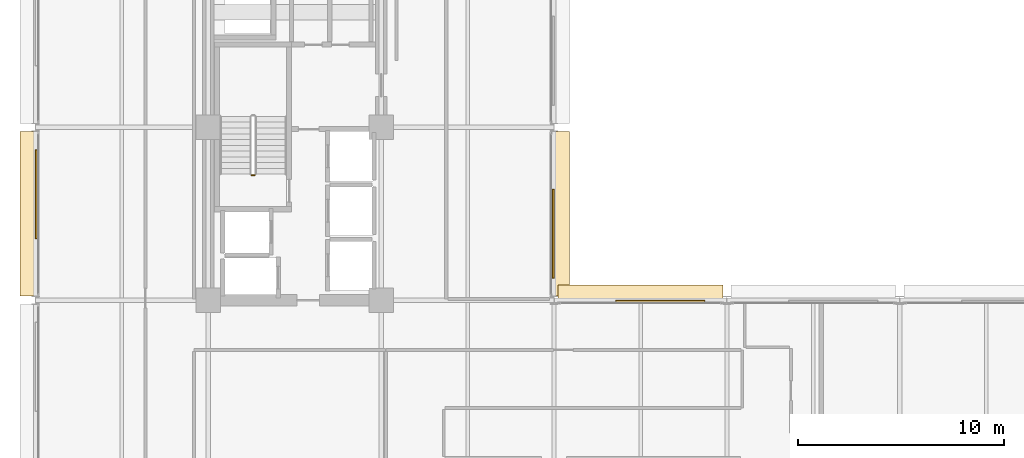
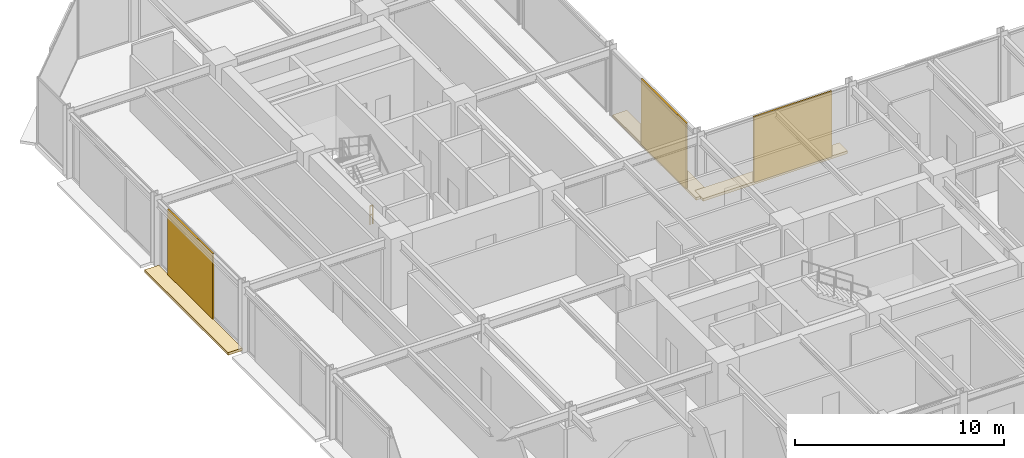
# One storey, part 37 of 39: 6 coverings, 1 railing.
"""IFC4 building model written with IfcOpenShell, lengths in metres."""

from ifc_helpers import new_model, si_unit, direction, frame, origin, origin_2d, place, context, subcontext, project, spatial, polyline, rectangle, circle, outline, extrude, material, layer, layer_set, type_object, element, save


model = new_model("IFC4")

# Units and contexts
model_context = context("Model", 3, precision=1e-05, world=origin(), true_north=direction((0.0, 1.0)))
body_context = subcontext(model_context, "Body", "Model", "MODEL_VIEW")
ifc_project = project(units=[si_unit("LENGTHUNIT", "METRE"), si_unit("AREAUNIT", "SQUARE_METRE"), si_unit("VOLUMEUNIT", "CUBIC_METRE"), si_unit("PLANEANGLEUNIT", "RADIAN"), si_unit("MASSUNIT", "GRAM", prefix="KILO")], contexts=[model_context])

# Site, building, storey
site_placement = place(None, origin())
site = spatial("IfcSite", under=ifc_project, at=site_placement, CompositionType="ELEMENT")
building_placement = place(site_placement, origin())
building = spatial("IfcBuilding", under=site, at=building_placement, Name="Nerrivon Quay Data Exchange", CompositionType="ELEMENT")
storey_placement = place(building_placement, frame((0.0, 0.0, 92.60009765625)))
storey = spatial("IfcBuildingStorey", under=building, at=storey_placement, Name="L21", CompositionType="ELEMENT", Elevation=92.60009765625)

# Coverings
ifc_material_1 = material(Name="Architectural terracotta ceramic", Category="masonry")
ifc_layer_1 = layer(ifc_material_1, 0.159912109375)
ifc_layer_set_1 = layer_set([ifc_layer_1], Name="Architectural terracotta ceramic")
covering_type_1 = type_object("IfcCoveringType", Name="COV-BLD-TERR", PredefinedType="CLADDING", material=ifc_layer_set_1)
covering_1_placement = place(storey_placement, frame((0.0, 0.0, -0.16015625)))
element("IfcCovering", 1, at=covering_1_placement, inside=storey, type_object=covering_type_1, Name="L21 Horizontal Terracotta SOLAR SCREEN Blade", PredefinedType="CLADDING", context=body_context, shape_type="SweptSolid", body=[
    extrude(outline(polyline([(0.0400390625, 25.39990234375), (0.0400390625, 33.39990234375), (-0.75, 33.39990234375), (-0.75, 25.39990234375), (0.0400390625, 25.39990234375)])), origin(), (0.0, 0.0, 1.0), 0.16015625),
])
covering_2_placement = place(storey_placement, frame((0.0, 0.0, -0.16015625)))
element("IfcCovering", 2, at=covering_2_placement, inside=storey, type_object=covering_type_1, Name="L21 Horizontal Terracotta SOLAR SCREEN Blade", PredefinedType="CLADDING", context=body_context, shape_type="SweptSolid", body=[
    extrude(outline(polyline([(25.159912109375, 33.39990234375), (25.159912109375, 25.39990234375), (25.949951171875, 25.39990234375), (25.949951171875, 33.39990234375), (25.159912109375, 33.39990234375)])), origin(), (0.0, 0.0, 1.0), 0.16015625),
])
covering_3_placement = place(storey_placement, frame((0.0, 0.0, -0.16015625)))
element("IfcCovering", 3, at=covering_3_placement, inside=storey, type_object=covering_type_1, Name="L21 Horizontal Terracotta SOLAR SCREEN Blade", PredefinedType="CLADDING", context=body_context, shape_type="SweptSolid", body=[
    extrude(outline(polyline([(25.39990234375, 25.159912109375), (33.39990234375, 25.159912109375), (33.39990234375, 25.949951171875), (25.39990234375, 25.949951171875), (25.39990234375, 25.159912109375)])), origin(), (0.0, 0.0, 1.0), 0.16015625),
])
ifc_layer_2 = layer(ifc_material_1, 0.090087890625)
ifc_layer_set_2 = layer_set([ifc_layer_2], Name="Architectural terracotta ceramic")
covering_type_2 = type_object("IfcCoveringType", Name="COV-SCR-TERR", PredefinedType="CLADDING", material=ifc_layer_set_2)
for number, where, z_axis, x_axis, name in (
    (4, (0.044921875, 30.360107421875, 0.0), (0.0, 0.0, 1.0), (0.0, 1.0, 0.0), "L21 Perforated Terracotta SOLAR SCREEN Cassette"),
    (5, (25.155029296875, 28.43994140625, 0.0), (0.0, 0.0, 1.0), (0.0, -1.0, 0.0), "L21 Perforated Terracotta SOLAR SCREEN Cassette"),
    (6, (30.360107421875, 25.155029296875, 0.0), (0.0, 0.0, 1.0), (1.0, 0.0, 0.0), "L21 Perforated Terracotta SOLAR SCREEN Cassette"),
):
    element("IfcCovering", number, at=place(storey_placement, frame(where, z_axis=z_axis, x_axis=x_axis)), inside=storey, type_object=covering_type_2, Name=name, PredefinedType="CLADDING", context=body_context, shape_type="SweptSolid", body=[
        extrude(rectangle(XDim=4.320068359375, YDim=0.090087890625, at=origin_2d()), origin(), (0.0, 0.0, 1.0), 3.824951171875),
    ])

# Railing
ifc_material_2 = material(Name="Steel Grade C350L0 (350 MPa)", Category="steel")
railing_type = type_object("IfcRailingType", Name="RAIL-STAIR-GR1", PredefinedType="BALUSTRADE", material=ifc_material_2)
railing_placement = place(storey_placement, frame((10.64990234375, 31.280029296875, 0.0)))
element("IfcRailing", 7, at=railing_placement, inside=storey, type_object=railing_type, Name="L21 ST01 stair guard 4", PredefinedType="BALUSTRADE", context=body_context, shape_type="SweptSolid", body=[
    extrude(circle(Radius=0.02392578125, at=origin_2d()), frame((0.0, 0.0, 1.076171875), z_axis=(-1.0, 0.0, 0.0), x_axis=(0.0, -1.0, 0.0)), (0.0, 0.0, 1.0), 0.14990234375),
    extrude(circle(Radius=0.02392578125, at=origin_2d()), frame((0.0, 0.0, 0.550048828125), z_axis=(-1.0, 0.0, 0.0), x_axis=(0.0, -1.0, 0.0)), (0.0, 0.0, 1.0), 0.14990234375),
    extrude(circle(Radius=0.02099609375, at=origin_2d()), origin(), (0.0, 0.0, 1.0), 1.052001953125),
    extrude(circle(Radius=0.02099609375, at=origin_2d()), frame((-0.14990234375, 0.0, 0.0)), (0.0, 0.0, 1.0), 1.052001953125),
])

save(model, "model.ifc")
